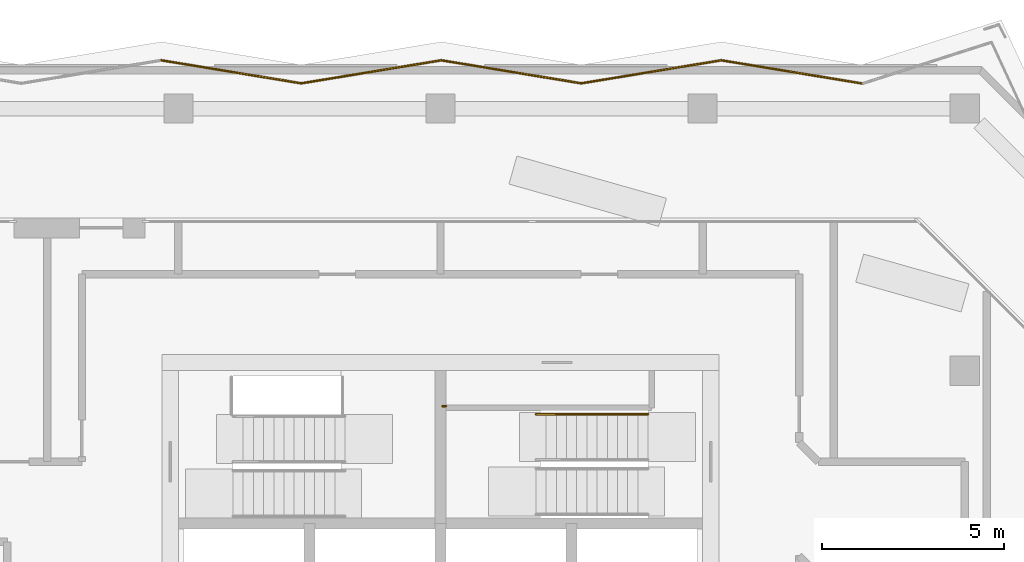
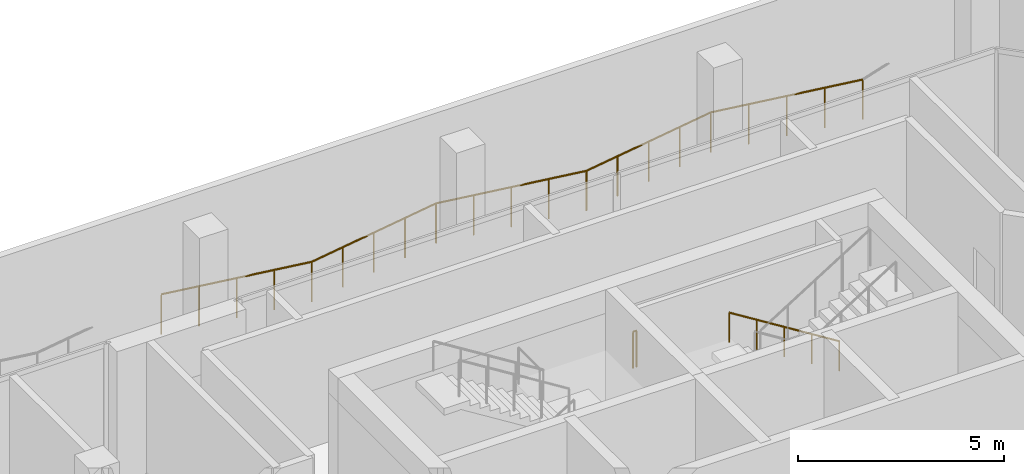
# One storey, part 17 of 19: 7 railings.
"""IFC4 building model written with IfcOpenShell, lengths in metres."""

from ifc_helpers import new_model, si_unit, direction, frame, origin, origin_2d, place, context, subcontext, project, spatial, circle, extrude, material, type_object, element, save


model = new_model("IFC4")

# Units and contexts
model_context = context("Model", 3, precision=1e-05, world=origin(), true_north=direction((0.0, 1.0)))
body_context = subcontext(model_context, "Body", "Model", "MODEL_VIEW")
ifc_project = project(units=[si_unit("LENGTHUNIT", "METRE"), si_unit("AREAUNIT", "SQUARE_METRE"), si_unit("VOLUMEUNIT", "CUBIC_METRE"), si_unit("PLANEANGLEUNIT", "RADIAN"), si_unit("MASSUNIT", "GRAM", prefix="KILO")], contexts=[model_context])

# Site, building, storey
site_placement = place(None, origin())
site = spatial("IfcSite", under=ifc_project, at=site_placement, CompositionType="ELEMENT")
building_placement = place(site_placement, origin())
building = spatial("IfcBuilding", under=site, at=building_placement, Name="Windrow Commons", CompositionType="ELEMENT")
storey_placement = place(building_placement, frame((0.0, 0.0, 230.4)))
storey = spatial("IfcBuildingStorey", under=building, at=storey_placement, Name="L63", CompositionType="ELEMENT", Elevation=230.4)

# Railings
ifc_material_1 = material(Name="Steel S355", Category="steel")
railing_type_1 = type_object("IfcRailingType", Name="Core stair guard 1100", PredefinedType="GUARDRAIL", material=ifc_material_1)
railing_1_placement = place(storey_placement, frame((64.95, 63.825, 2.1)))
element("IfcRailing", 1, at=railing_1_placement, inside=storey, type_object=railing_type_1, Name="L63 ST-A2 stair guard 3", PredefinedType="GUARDRAIL", context=body_context, shape_type="SweptSolid", body=[
    extrude(circle(Radius=0.024, at=origin_2d()), frame((0.0, 0.0, 1.076), z_axis=(-1.0, 0.0, 0.0), x_axis=(0.0, -1.0, 0.0)), (0.0, 0.0, 1.0), 0.1),
    extrude(circle(Radius=0.021, at=origin_2d()), origin(), (0.0, 0.0, 1.0), 1.052),
    extrude(circle(Radius=0.021, at=origin_2d()), frame((-0.1, 0.0, 0.0)), (0.0, 0.0, 1.0), 1.052),
])
ifc_material_2 = material(Name="Steel S355", Category="steel")
railing_type_2 = type_object("IfcRailingType", Name="Core stair handrail 900", PredefinedType="HANDRAIL", material=ifc_material_2)
railing_2_placement = place(storey_placement, frame((70.5, 63.605, 0.175)))
element("IfcRailing", 2, at=railing_2_placement, inside=storey, type_object=railing_type_2, Name="L63 ST-A2 stair handrail 1", PredefinedType="HANDRAIL", context=body_context, shape_type="SweptSolid", body=[
    extrude(circle(Radius=0.024, at=origin_2d()), frame((0.0, 0.0, 0.876), z_axis=(-0.847998304, 0.0, 0.52999894), x_axis=(0.0, -1.0, 0.0)), (0.0, 0.0, 1.0), 3.6321),
    extrude(circle(Radius=0.021, at=origin_2d()), origin(), (0.0, 0.0, 1.0), 0.852),
    extrude(circle(Radius=0.021, at=origin_2d()), frame((-0.77, 0.0, 0.4813)), (0.0, 0.0, 1.0), 0.852),
    extrude(circle(Radius=0.021, at=origin_2d()), frame((-1.54, 0.0, 0.9625)), (0.0, 0.0, 1.0), 0.852),
    extrude(circle(Radius=0.021, at=origin_2d()), frame((-2.31, 0.0, 1.4438)), (0.0, 0.0, 1.0), 0.852),
    extrude(circle(Radius=0.021, at=origin_2d()), frame((-3.08, 0.0, 1.925)), (0.0, 0.0, 1.0), 0.852),
])
ifc_material_3 = material(Name="Stainless steel S316 balustrade with toughened glass infill", Category="steel")
railing_type_3 = type_object("IfcRailingType", Name="Terrace guard 1200 podium", PredefinedType="BALUSTRADE", material=ifc_material_3)
railing_3_placement = place(storey_placement, frame((57.1308, 73.3263, 0.05)))
element("IfcRailing", 3, at=railing_3_placement, inside=storey, type_object=railing_type_3, Name="Guard TR-L63-1.E21", PredefinedType="BALUSTRADE", context=body_context, shape_type="SweptSolid", body=[
    extrude(circle(Radius=0.025, at=origin_2d()), frame((0.0, 0.0, 1.175), z_axis=(0.9867206744, -0.1624263241, 0.0), x_axis=(0.1624263241, 0.9867206744, 0.0)), (0.0, 0.0, 1.0), 3.8972),
    extrude(circle(Radius=0.02, at=origin_2d()), origin(), (0.0, 0.0, 1.0), 1.15),
    extrude(circle(Radius=0.02, at=origin_2d()), frame((0.9613, -0.1583, 0.0)), (0.0, 0.0, 1.0), 1.15),
    extrude(circle(Radius=0.02, at=origin_2d()), frame((1.9227, -0.3165, 0.0)), (0.0, 0.0, 1.0), 1.15),
    extrude(circle(Radius=0.02, at=origin_2d()), frame((2.884, -0.4748, 0.0)), (0.0, 0.0, 1.0), 1.15),
    extrude(circle(Radius=0.02, at=origin_2d()), frame((3.8454, -0.633, 0.0)), (0.0, 0.0, 1.0), 1.15),
])
railing_4_placement = place(storey_placement, frame((60.9762, 72.6933, 0.05)))
element("IfcRailing", 4, at=railing_4_placement, inside=storey, type_object=railing_type_3, Name="Guard TR-L63-1.E22", PredefinedType="BALUSTRADE", context=body_context, shape_type="SweptSolid", body=[
    extrude(circle(Radius=0.025, at=origin_2d()), frame((0.0, 0.0, 1.175), z_axis=(0.9867213513, 0.1624222118, 0.0), x_axis=(-0.1624222118, 0.9867213513, 0.0)), (0.0, 0.0, 1.0), 3.8973),
    extrude(circle(Radius=0.02, at=origin_2d()), origin(), (0.0, 0.0, 1.0), 1.15),
    extrude(circle(Radius=0.02, at=origin_2d()), frame((0.9614, 0.1583, 0.0)), (0.0, 0.0, 1.0), 1.15),
    extrude(circle(Radius=0.02, at=origin_2d()), frame((1.9228, 0.3165, 0.0)), (0.0, 0.0, 1.0), 1.15),
    extrude(circle(Radius=0.02, at=origin_2d()), frame((2.8841, 0.4748, 0.0)), (0.0, 0.0, 1.0), 1.15),
    extrude(circle(Radius=0.02, at=origin_2d()), frame((3.8455, 0.633, 0.0)), (0.0, 0.0, 1.0), 1.15),
])
railing_5_placement = place(storey_placement, frame((64.8217, 73.3263, 0.05)))
element("IfcRailing", 5, at=railing_5_placement, inside=storey, type_object=railing_type_3, Name="Guard TR-L63-1.E23", PredefinedType="BALUSTRADE", context=body_context, shape_type="SweptSolid", body=[
    extrude(circle(Radius=0.025, at=origin_2d()), frame((0.0, 0.0, 1.175), z_axis=(0.9867213513, -0.1624222118, 0.0), x_axis=(0.1624222118, 0.9867213513, 0.0)), (0.0, 0.0, 1.0), 3.8973),
    extrude(circle(Radius=0.02, at=origin_2d()), origin(), (0.0, 0.0, 1.0), 1.15),
    extrude(circle(Radius=0.02, at=origin_2d()), frame((0.9614, -0.1583, 0.0)), (0.0, 0.0, 1.0), 1.15),
    extrude(circle(Radius=0.02, at=origin_2d()), frame((1.9227, -0.3165, 0.0)), (0.0, 0.0, 1.0), 1.15),
    extrude(circle(Radius=0.02, at=origin_2d()), frame((2.8841, -0.4748, 0.0)), (0.0, 0.0, 1.0), 1.15),
    extrude(circle(Radius=0.02, at=origin_2d()), frame((3.8455, -0.633, 0.0)), (0.0, 0.0, 1.0), 1.15),
])
railing_6_placement = place(storey_placement, frame((68.6672, 72.6933, 0.05)))
element("IfcRailing", 6, at=railing_6_placement, inside=storey, type_object=railing_type_3, Name="Guard TR-L63-1.E24", PredefinedType="BALUSTRADE", context=body_context, shape_type="SweptSolid", body=[
    extrude(circle(Radius=0.025, at=origin_2d()), frame((0.0, 0.0, 1.175), z_axis=(0.9867206744, 0.1624263241, 0.0), x_axis=(-0.1624263241, 0.9867206744, 0.0)), (0.0, 0.0, 1.0), 3.8972),
    extrude(circle(Radius=0.02, at=origin_2d()), origin(), (0.0, 0.0, 1.0), 1.15),
    extrude(circle(Radius=0.02, at=origin_2d()), frame((0.9614, 0.1583, 0.0)), (0.0, 0.0, 1.0), 1.15),
    extrude(circle(Radius=0.02, at=origin_2d()), frame((1.9227, 0.3165, 0.0)), (0.0, 0.0, 1.0), 1.15),
    extrude(circle(Radius=0.02, at=origin_2d()), frame((2.8841, 0.4748, 0.0)), (0.0, 0.0, 1.0), 1.15),
    extrude(circle(Radius=0.02, at=origin_2d()), frame((3.8454, 0.633, 0.0)), (0.0, 0.0, 1.0), 1.15),
])
railing_7_placement = place(storey_placement, frame((72.5126, 73.3263, 0.05)))
element("IfcRailing", 7, at=railing_7_placement, inside=storey, type_object=railing_type_3, Name="Guard TR-L63-1.E25", PredefinedType="BALUSTRADE", context=body_context, shape_type="SweptSolid", body=[
    extrude(circle(Radius=0.025, at=origin_2d()), frame((0.0, 0.0, 1.175), z_axis=(0.9867181822, -0.1624414632, 0.0), x_axis=(0.1624414632, 0.9867181822, 0.0)), (0.0, 0.0, 1.0), 3.9356),
    extrude(circle(Radius=0.02, at=origin_2d()), origin(), (0.0, 0.0, 1.0), 1.15),
    extrude(circle(Radius=0.02, at=origin_2d()), frame((0.9708, -0.1598, 0.0)), (0.0, 0.0, 1.0), 1.15),
    extrude(circle(Radius=0.02, at=origin_2d()), frame((1.9416, -0.3197, 0.0)), (0.0, 0.0, 1.0), 1.15),
    extrude(circle(Radius=0.02, at=origin_2d()), frame((2.9125, -0.4795, 0.0)), (0.0, 0.0, 1.0), 1.15),
    extrude(circle(Radius=0.02, at=origin_2d()), frame((3.8833, -0.6393, 0.0)), (0.0, 0.0, 1.0), 1.15),
])

save(model, "model.ifc")
